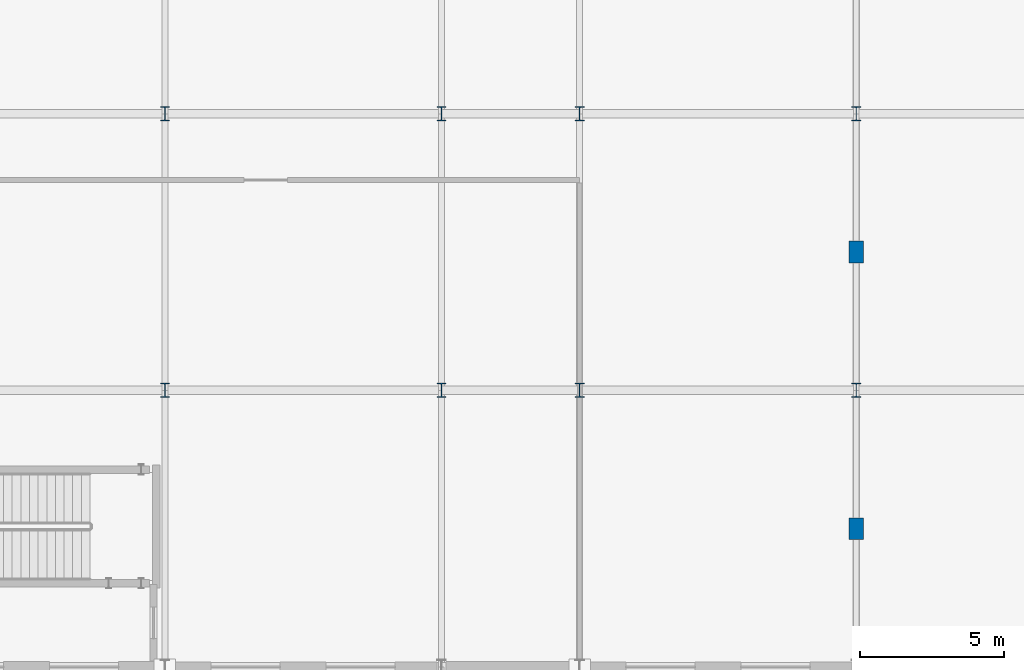
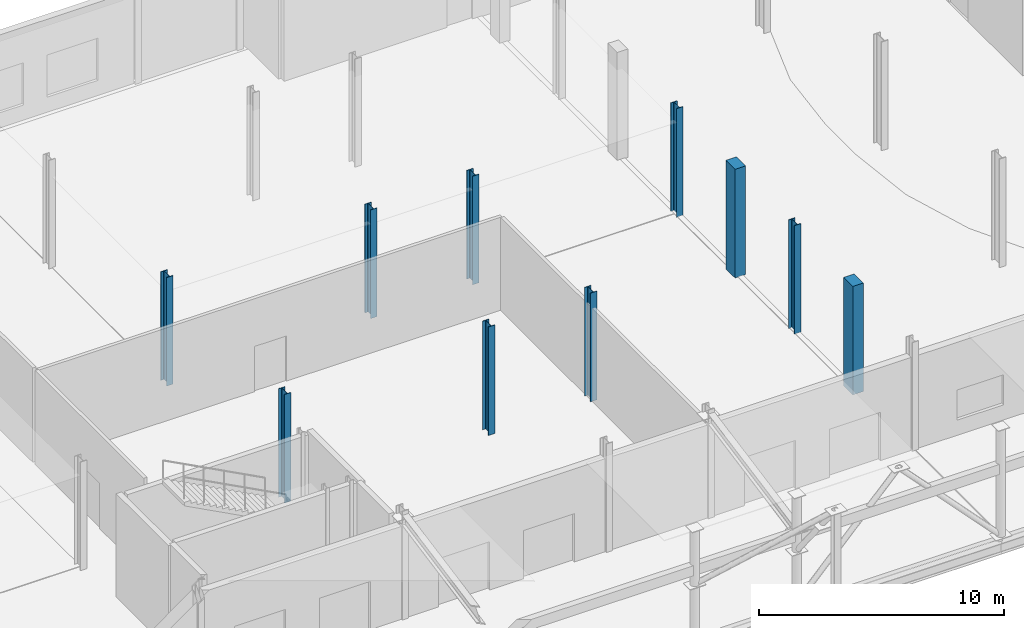
# One storey, part 7 of 84: 10 columns.
"""IFC4 building model written with IfcOpenShell, lengths in metres."""

from ifc_helpers import new_model, si_unit, direction, frame, origin, origin_2d, place, context, subcontext, project, spatial, rectangle, i_section, extrude, material, material_profile, profile_set, type_object, element, save


model = new_model("IFC4")

# Units and contexts
model_context = context("Model", 3, precision=1e-05, world=origin(), true_north=direction((0.0, 1.0)))
body_context = subcontext(model_context, "Body", "Model", "MODEL_VIEW")
ifc_project = project(units=[si_unit("LENGTHUNIT", "METRE"), si_unit("AREAUNIT", "SQUARE_METRE"), si_unit("VOLUMEUNIT", "CUBIC_METRE"), si_unit("PLANEANGLEUNIT", "RADIAN"), si_unit("MASSUNIT", "GRAM", prefix="KILO")], contexts=[model_context])

# Site, building, storey
site_placement = place(None, origin())
site = spatial("IfcSite", under=ifc_project, at=site_placement, CompositionType="ELEMENT")
building_placement = place(site_placement, origin())
building = spatial("IfcBuilding", under=site, at=building_placement, Name="Zevrakil Square Congress Hotel", CompositionType="ELEMENT")
storey_placement = place(building_placement, origin())
storey = spatial("IfcBuildingStorey", under=building, at=storey_placement, Name="L01", CompositionType="ELEMENT", Elevation=0.0)

# Columns
ifc_material_1 = material(Name="Steel S355", Category="steel")
ifc_material_profile_1 = material_profile(ifc_material_1, i_section(OverallWidth=0.300048828125, OverallDepth=0.5, WebThickness=0.014404296875, FlangeThickness=0.028076171875, FilletRadius=0.027099609375, at=origin_2d()), Name="HEB 500")
ifc_profile_set_1 = profile_set([ifc_material_profile_1], Name="Steel S355")
column_type_1 = type_object("IfcColumnType", Name="COL-HEB500", PredefinedType="COLUMN", material=ifc_profile_set_1)
for number, where, z_axis, x_axis, name in (
    (1, (93.60009765625, 16.800048828125, 0.0), (0.0, 0.0, 1.0), (1.0, 0.0, 0.0), "L01 column C-139"),
    (2, (93.60009765625, 26.39990234375, 0.0), (0.0, 0.0, 1.0), (1.0, 0.0, 0.0), "L01 column C-140"),
    (3, (103.199951171875, 16.800048828125, 0.0), (0.0, 0.0, 1.0), (1.0, 0.0, 0.0), "L01 column C-151"),
    (4, (103.199951171875, 26.39990234375, 0.0), (0.0, 0.0, 1.0), (1.0, 0.0, 0.0), "L01 column C-152"),
    (5, (108.0, 16.800048828125, 0.0), (0.0, 0.0, 1.0), (1.0, 0.0, 0.0), "L01 column C-165"),
    (6, (108.0, 26.39990234375, 0.0), (0.0, 0.0, 1.0), (1.0, 0.0, 0.0), "L01 column C-166"),
    (7, (117.60009765625, 16.800048828125, 0.0), (0.0, 0.0, 1.0), (1.0, 0.0, 0.0), "L01 column C-180"),
    (8, (117.60009765625, 26.39990234375, 0.0), (0.0, 0.0, 1.0), (1.0, 0.0, 0.0), "L01 column C-182"),
):
    element("IfcColumn", number, at=place(storey_placement, frame(where, z_axis=z_axis, x_axis=x_axis)), inside=storey, type_object=column_type_1, Name=name, PredefinedType="COLUMN", context=body_context, shape_type="SweptSolid", body=[
        extrude(i_section(OverallWidth=0.300048828125, OverallDepth=0.5, WebThickness=0.014404296875, FlangeThickness=0.028076171875, FilletRadius=0.027099609375, at=origin_2d()), origin(), (0.0, 0.0, 1.0), 5.39990234375),
    ])
ifc_material_2 = material(Name="Concrete C40/50", Category="concrete")
ifc_material_profile_2 = material_profile(ifc_material_2, rectangle(XDim=0.5, YDim=0.75, at=origin_2d()), Name="RC 500x750")
ifc_profile_set_2 = profile_set([ifc_material_profile_2], Name="Concrete C40/50")
column_type_2 = type_object("IfcColumnType", Name="COL-PILASTER-RC500x750", PredefinedType="PILASTER", material=ifc_profile_set_2)
for number, where, z_axis, x_axis, name in (
    (9, (117.60009765625, 12.0, 0.0), (0.0, 0.0, 1.0), (1.0, 0.0, 0.0), "L01 pilaster PL-05"),
    (10, (117.60009765625, 21.60009765625, 0.0), (0.0, 0.0, 1.0), (1.0, 0.0, 0.0), "L01 pilaster PL-06"),
):
    element("IfcColumn", number, at=place(storey_placement, frame(where, z_axis=z_axis, x_axis=x_axis)), inside=storey, type_object=column_type_2, Name=name, PredefinedType="PILASTER", context=body_context, shape_type="SweptSolid", body=[
        extrude(rectangle(XDim=0.5, YDim=0.75, at=origin_2d()), origin(), (0.0, 0.0, 1.0), 5.39990234375),
    ])

save(model, "model.ifc")
